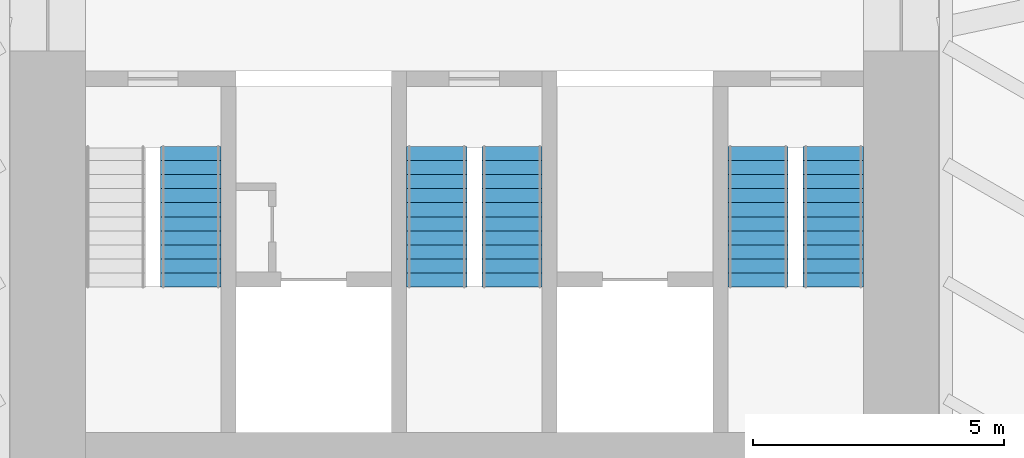
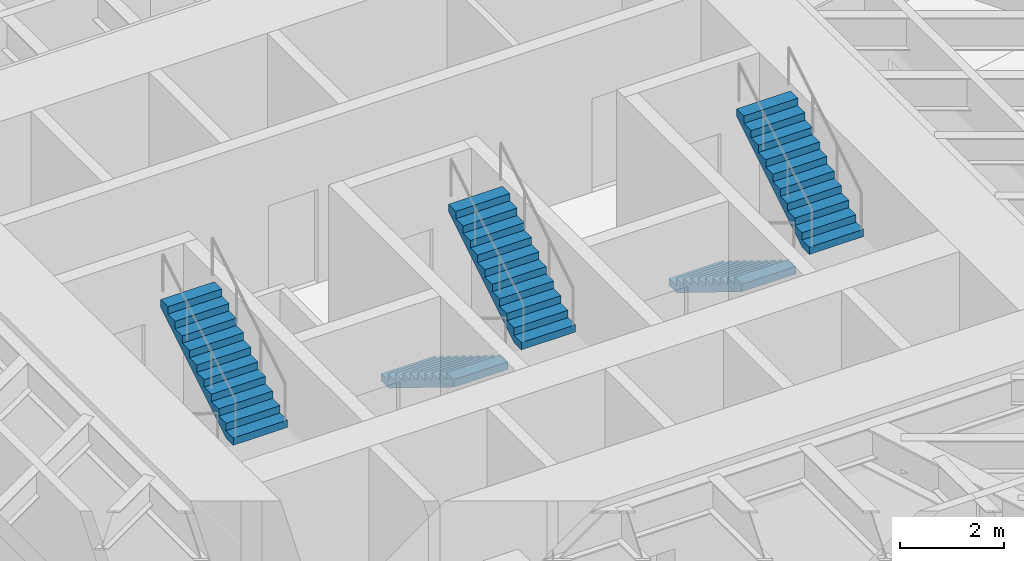
# One storey, part 16 of 17: 5 stair flights, 3 elements without a shape of their own.
"""IFC4 building model written with IfcOpenShell, lengths in metres."""

from ifc_helpers import new_model, si_unit, direction, frame, origin, place, context, subcontext, project, spatial, polyline, outline, extrude, material, type_object, element, aggregate, save


model = new_model("IFC4")

# Units and contexts
model_context = context("Model", 3, precision=1e-05, world=origin(), true_north=direction((0.0, 1.0)))
body_context = subcontext(model_context, "Body", "Model", "MODEL_VIEW")
ifc_project = project(units=[si_unit("LENGTHUNIT", "METRE"), si_unit("AREAUNIT", "SQUARE_METRE"), si_unit("VOLUMEUNIT", "CUBIC_METRE"), si_unit("PLANEANGLEUNIT", "RADIAN"), si_unit("MASSUNIT", "GRAM", prefix="KILO")], contexts=[model_context])

# Site, building, storey
site_placement = place(None, origin())
site = spatial("IfcSite", under=ifc_project, at=site_placement, CompositionType="ELEMENT")
building_placement = place(site_placement, origin())
building = spatial("IfcBuilding", under=site, at=building_placement, Name="Sandreach Pilgrim Tower", CompositionType="ELEMENT")
storey_placement = place(building_placement, frame((0.0, 0.0, 76.199951171875)))
storey = spatial("IfcBuildingStorey", under=building, at=storey_placement, Name="L18", CompositionType="ELEMENT", Elevation=76.199951171875)

# Stair, stair flight
ifc_material_1 = material(Name="Concrete 8000 psi", Category="concrete")
stair_type = type_object("IfcStairType", Name="Core exit stair", PredefinedType="HALF_TURN_STAIR", material=ifc_material_1)
stair_1_placement = place(storey_placement, origin())
stair_1 = element("IfcStair", 1, at=stair_1_placement, inside=storey, type_object=stair_type, Name="Exit stair ST1 L18", PredefinedType="HALF_TURN_STAIR")
ifc_material_2 = material(Name="Concrete 8000 psi", Category="concrete")
stair_flight_type = type_object("IfcStairFlightType", Name="Core stair flight 1200", PredefinedType="STRAIGHT", material=ifc_material_2)
stair_flight_1_placement = place(storey_placement, frame((-5.64990234375, -3.199951171875, 1.900146484375), z_axis=(0.0, 0.0, 1.0), x_axis=(0.0, 1.0, 0.0)))
stair_flight_1 = element("IfcStairFlight", 2, at=stair_flight_1_placement, type_object=stair_flight_type, Name="ST1 flight 2", NumberOfRisers=11, NumberOfTreads=10, PredefinedType="STRAIGHT", RiserHeight=0.172727273, TreadLength=0.28, context=body_context, shape_type="SweptSolid", body=[
    extrude(outline(polyline([(0.0, 0.0), (0.0, 0.172607421875), (0.280029296875, 0.172607421875), (0.280029296875, 0.345458984375), (0.56005859375, 0.345458984375), (0.56005859375, 0.51806640625), (0.840087890625, 0.51806640625), (0.840087890625, 0.69091796875), (1.1201171875, 0.69091796875), (1.1201171875, 0.863525390625), (1.39990234375, 0.863525390625), (1.39990234375, 1.036376953125), (1.679931640625, 1.036376953125), (1.679931640625, 1.208984375), (1.9599609375, 1.208984375), (1.9599609375, 1.3818359375), (2.239990234375, 1.3818359375), (2.239990234375, 1.554443359375), (2.52001953125, 1.554443359375), (2.52001953125, 1.727294921875), (2.800048828125, 1.727294921875), (2.800048828125, 1.89990234375), (2.800048828125, 1.551025390625), (0.285400390625, 0.0), (0.0, 0.0)])), frame((0.0, 0.60009765625, 0.0), z_axis=(0.0, -1.0, 0.0), x_axis=(1.0, 0.0, 0.0)), (0.0, 0.0, 1.0), 1.199951171875),
])
aggregate(stair_1, [stair_flight_1])

# Stair, stair flights
stair_2_placement = place(storey_placement, origin())
stair_2 = element("IfcStair", 3, at=stair_2_placement, inside=storey, type_object=stair_type, Name="Exit stair ST3 L18", PredefinedType="HALF_TURN_STAIR")
stair_flight_2_placement = place(storey_placement, frame((-0.75, -0.39990234375, 0.0), z_axis=(0.0, 0.0, 1.0), x_axis=(0.0, -1.0, 0.0)))
stair_flight_2 = element("IfcStairFlight", 4, at=stair_flight_2_placement, type_object=stair_flight_type, Name="ST3 flight 1", NumberOfRisers=11, NumberOfTreads=10, PredefinedType="STRAIGHT", RiserHeight=0.172727273, TreadLength=0.28, context=body_context, shape_type="SweptSolid", body=[
    extrude(outline(polyline([(0.0, 0.0), (0.0, 0.172607421875), (0.280029296875, 0.172607421875), (0.280029296875, 0.345458984375), (0.56005859375, 0.345458984375), (0.56005859375, 0.51806640625), (0.840087890625, 0.51806640625), (0.840087890625, 0.69091796875), (1.1201171875, 0.69091796875), (1.1201171875, 0.863525390625), (1.39990234375, 0.863525390625), (1.39990234375, 1.036376953125), (1.679931640625, 1.036376953125), (1.679931640625, 1.208984375), (1.9599609375, 1.208984375), (1.9599609375, 1.3818359375), (2.239990234375, 1.3818359375), (2.239990234375, 1.554443359375), (2.52001953125, 1.554443359375), (2.52001953125, 1.727294921875), (2.800048828125, 1.727294921875), (2.800048828125, 1.89990234375), (2.800048828125, 1.551025390625), (0.285400390625, 0.0), (0.0, 0.0)])), frame((0.0, 0.60009765625, 0.0), z_axis=(0.0, -1.0, 0.0), x_axis=(1.0, 0.0, 0.0)), (0.0, 0.0, 1.0), 1.199951171875),
])
stair_flight_3_placement = place(storey_placement, frame((0.75, -3.199951171875, 1.900146484375), z_axis=(0.0, 0.0, 1.0), x_axis=(0.0, 1.0, 0.0)))
stair_flight_3 = element("IfcStairFlight", 5, at=stair_flight_3_placement, type_object=stair_flight_type, Name="ST3 flight 2", NumberOfRisers=11, NumberOfTreads=10, PredefinedType="STRAIGHT", RiserHeight=0.172727273, TreadLength=0.28, context=body_context, shape_type="SweptSolid", body=[
    extrude(outline(polyline([(0.0, 0.0), (0.0, 0.172607421875), (0.280029296875, 0.172607421875), (0.280029296875, 0.345458984375), (0.56005859375, 0.345458984375), (0.56005859375, 0.51806640625), (0.840087890625, 0.51806640625), (0.840087890625, 0.69091796875), (1.1201171875, 0.69091796875), (1.1201171875, 0.863525390625), (1.39990234375, 0.863525390625), (1.39990234375, 1.036376953125), (1.679931640625, 1.036376953125), (1.679931640625, 1.208984375), (1.9599609375, 1.208984375), (1.9599609375, 1.3818359375), (2.239990234375, 1.3818359375), (2.239990234375, 1.554443359375), (2.52001953125, 1.554443359375), (2.52001953125, 1.727294921875), (2.800048828125, 1.727294921875), (2.800048828125, 1.89990234375), (2.800048828125, 1.551025390625), (0.285400390625, 0.0), (0.0, 0.0)])), frame((0.0, 0.60009765625, 0.0), z_axis=(0.0, -1.0, 0.0), x_axis=(1.0, 0.0, 0.0)), (0.0, 0.0, 1.0), 1.199951171875),
])
aggregate(stair_2, [stair_flight_2, stair_flight_3])

stair_3_placement = place(storey_placement, origin())
stair_3 = element("IfcStair", 6, at=stair_3_placement, inside=storey, type_object=stair_type, Name="Exit stair ST2 L18", PredefinedType="HALF_TURN_STAIR")
stair_flight_4_placement = place(storey_placement, frame((5.64990234375, -0.39990234375, 0.0), z_axis=(0.0, 0.0, 1.0), x_axis=(0.0, -1.0, 0.0)))
stair_flight_4 = element("IfcStairFlight", 7, at=stair_flight_4_placement, type_object=stair_flight_type, Name="ST2 flight 1", NumberOfRisers=11, NumberOfTreads=10, PredefinedType="STRAIGHT", RiserHeight=0.172727273, TreadLength=0.28, context=body_context, shape_type="SweptSolid", body=[
    extrude(outline(polyline([(0.0, 0.0), (0.0, 0.172607421875), (0.280029296875, 0.172607421875), (0.280029296875, 0.345458984375), (0.56005859375, 0.345458984375), (0.56005859375, 0.51806640625), (0.840087890625, 0.51806640625), (0.840087890625, 0.69091796875), (1.1201171875, 0.69091796875), (1.1201171875, 0.863525390625), (1.39990234375, 0.863525390625), (1.39990234375, 1.036376953125), (1.679931640625, 1.036376953125), (1.679931640625, 1.208984375), (1.9599609375, 1.208984375), (1.9599609375, 1.3818359375), (2.239990234375, 1.3818359375), (2.239990234375, 1.554443359375), (2.52001953125, 1.554443359375), (2.52001953125, 1.727294921875), (2.800048828125, 1.727294921875), (2.800048828125, 1.89990234375), (2.800048828125, 1.551025390625), (0.285400390625, 0.0), (0.0, 0.0)])), frame((0.0, 0.60009765625, 0.0), z_axis=(0.0, -1.0, 0.0), x_axis=(1.0, 0.0, 0.0)), (0.0, 0.0, 1.0), 1.199951171875),
])
stair_flight_5_placement = place(storey_placement, frame((7.14990234375, -3.199951171875, 1.900146484375), z_axis=(0.0, 0.0, 1.0), x_axis=(0.0, 1.0, 0.0)))
stair_flight_5 = element("IfcStairFlight", 8, at=stair_flight_5_placement, type_object=stair_flight_type, Name="ST2 flight 2", NumberOfRisers=11, NumberOfTreads=10, PredefinedType="STRAIGHT", RiserHeight=0.172727273, TreadLength=0.28, context=body_context, shape_type="SweptSolid", body=[
    extrude(outline(polyline([(0.0, 0.0), (0.0, 0.172607421875), (0.280029296875, 0.172607421875), (0.280029296875, 0.345458984375), (0.56005859375, 0.345458984375), (0.56005859375, 0.51806640625), (0.840087890625, 0.51806640625), (0.840087890625, 0.69091796875), (1.1201171875, 0.69091796875), (1.1201171875, 0.863525390625), (1.39990234375, 0.863525390625), (1.39990234375, 1.036376953125), (1.679931640625, 1.036376953125), (1.679931640625, 1.208984375), (1.9599609375, 1.208984375), (1.9599609375, 1.3818359375), (2.239990234375, 1.3818359375), (2.239990234375, 1.554443359375), (2.52001953125, 1.554443359375), (2.52001953125, 1.727294921875), (2.800048828125, 1.727294921875), (2.800048828125, 1.89990234375), (2.800048828125, 1.551025390625), (0.285400390625, 0.0), (0.0, 0.0)])), frame((0.0, 0.60009765625, 0.0), z_axis=(0.0, -1.0, 0.0), x_axis=(1.0, 0.0, 0.0)), (0.0, 0.0, 1.0), 1.199951171875),
])
aggregate(stair_3, [stair_flight_4, stair_flight_5])

save(model, "model.ifc")
